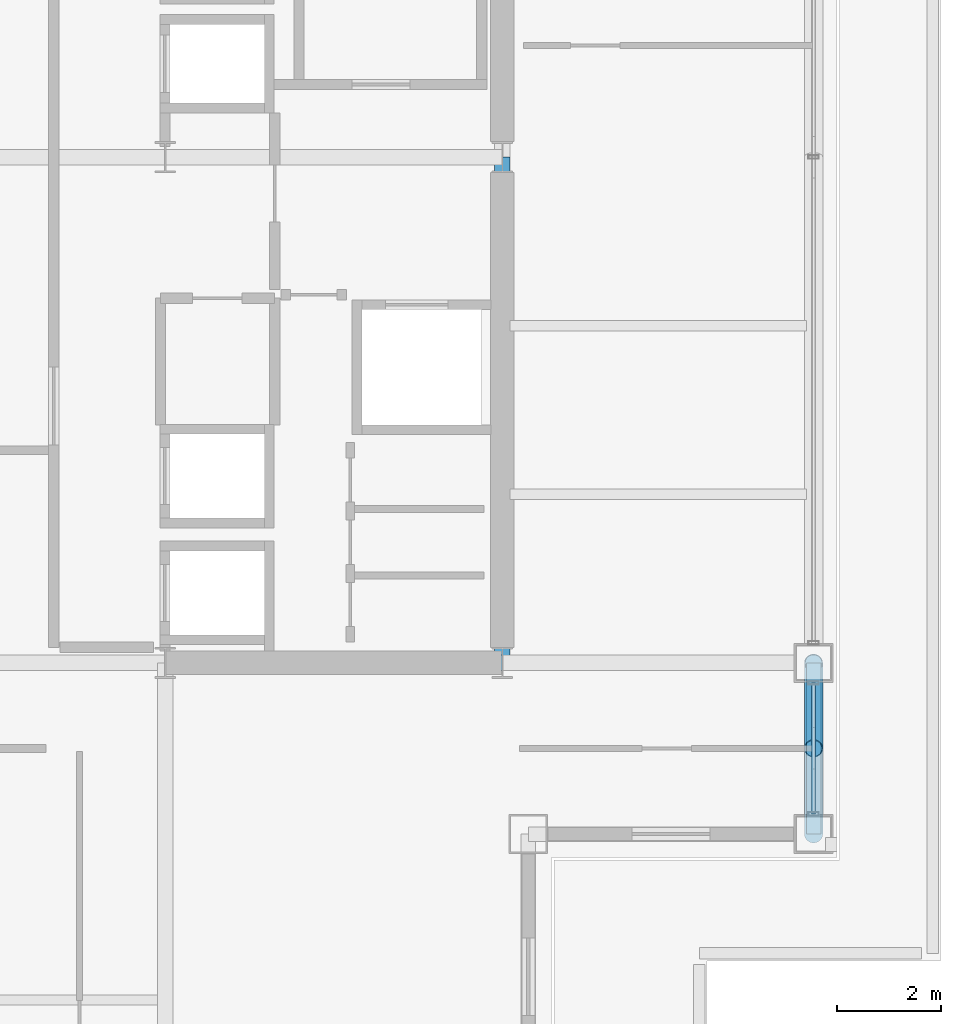
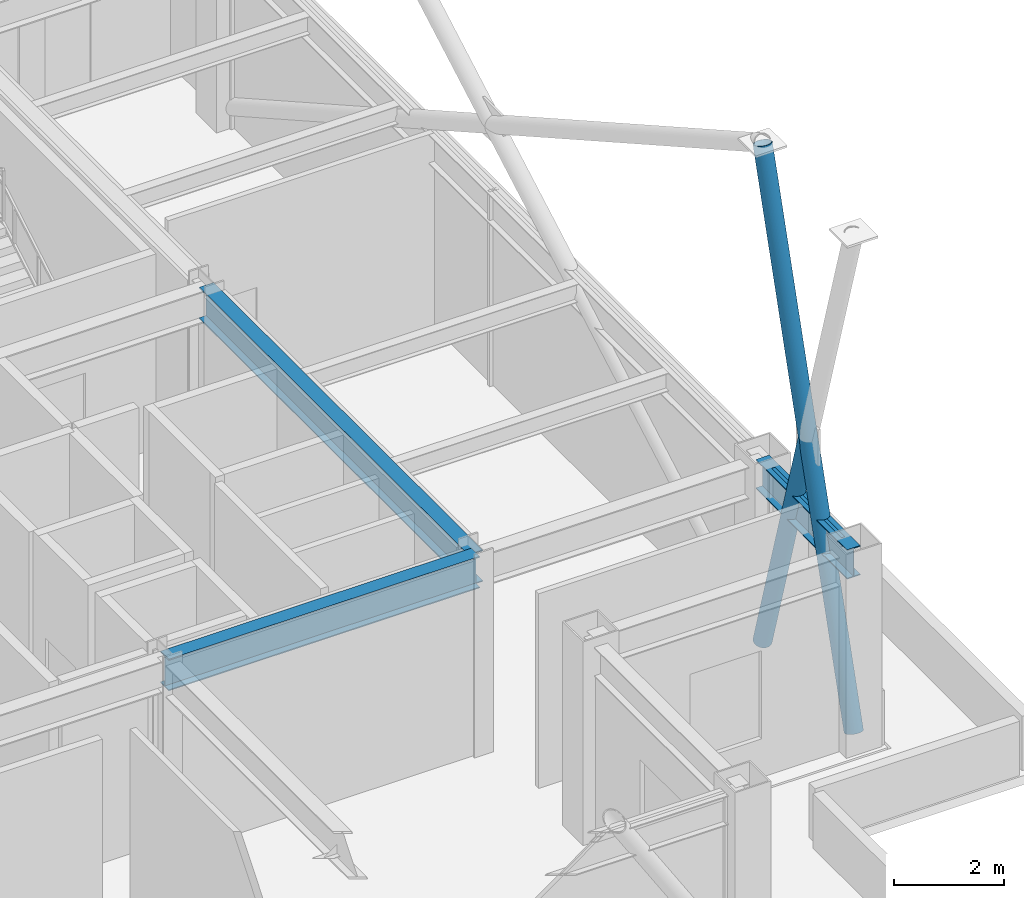
# One storey, part 11 of 24: 3 beams, 3 members, 1 element without a shape of its own.
"""IFC4 building model written with IfcOpenShell, lengths in metres."""

from ifc_helpers import new_model, si_unit, direction, frame, origin, origin_2d, place, context, subcontext, project, spatial, hollow_rectangle, hollow_circle, i_section, extrude, material, layer, layer_set, material_profile, profile_set, type_object, element, aggregate, save


model = new_model("IFC4")

# Units and contexts
model_context = context("Model", 3, precision=1e-05, world=origin(), true_north=direction((0.0, 1.0)))
body_context = subcontext(model_context, "Body", "Model", "MODEL_VIEW")
ifc_project = project(units=[si_unit("LENGTHUNIT", "METRE"), si_unit("AREAUNIT", "SQUARE_METRE"), si_unit("VOLUMEUNIT", "CUBIC_METRE"), si_unit("PLANEANGLEUNIT", "RADIAN"), si_unit("MASSUNIT", "GRAM", prefix="KILO")], contexts=[model_context])

# Site, building, storey
site_placement = place(None, origin())
site = spatial("IfcSite", under=ifc_project, at=site_placement, CompositionType="ELEMENT")
building_placement = place(site_placement, origin())
building = spatial("IfcBuilding", under=site, at=building_placement, Name="Brelmoor Portico Tower", CompositionType="ELEMENT")
storey_placement = place(building_placement, frame((0.0, 0.0, 150.60009765625)))
storey = spatial("IfcBuildingStorey", under=building, at=storey_placement, Name="L39", CompositionType="ELEMENT", Elevation=150.60009765625)

# Beams
ifc_material_1 = material(Name="Steel Q355B", Category="steel")
ifc_material_profile_1 = material_profile(ifc_material_1, i_section(OverallWidth=0.300048828125, OverallDepth=0.699951171875, WebThickness=0.012939453125, FlangeThickness=0.02392578125, at=origin_2d()), Name="HN 700x300x13x24")
ifc_profile_set_1 = profile_set([ifc_material_profile_1], Name="Steel Q355B")
beam_type_1 = type_object("IfcBeamType", Name="BM-PG-700", PredefinedType="BEAM", material=ifc_profile_set_1)
beam_1_placement = place(storey_placement, frame((14.550048828125, -9.75, 3.949951171875), z_axis=(0.0, 1.0, 0.0), x_axis=(-1.0, 0.0, 0.0)))
element("IfcBeam", 1, at=beam_1_placement, inside=storey, type_object=beam_type_1, Name="L39 Primary Floor Girder PG-08", PredefinedType="BEAM", context=body_context, shape_type="SweptSolid", body=[
    extrude(i_section(OverallWidth=0.300048828125, OverallDepth=0.699951171875, WebThickness=0.012939453125, FlangeThickness=0.02392578125, at=origin_2d()), origin(), (0.0, 0.0, 1.0), 9.75),
])
beam_2_placement = place(storey_placement, frame((8.050048828125, -9.75, 3.949951171875), z_axis=(1.0, 0.0, 0.0), x_axis=(0.0, 1.0, 0.0)))
element("IfcBeam", 2, at=beam_2_placement, inside=storey, type_object=beam_type_1, Name="L39 Primary Floor Girder PG-13", PredefinedType="BEAM", context=body_context, shape_type="SweptSolid", body=[
    extrude(i_section(OverallWidth=0.300048828125, OverallDepth=0.699951171875, WebThickness=0.012939453125, FlangeThickness=0.02392578125, at=origin_2d()), origin(), (0.0, 0.0, 1.0), 6.5),
])
ifc_material_profile_2 = material_profile(ifc_material_1, i_section(OverallWidth=0.280029296875, OverallDepth=0.64990234375, WebThickness=0.012939453125, FlangeThickness=0.02197265625, at=origin_2d()), Name="HN 650x280x13x22")
ifc_profile_set_2 = profile_set([ifc_material_profile_2], Name="Steel Q355B")
beam_type_2 = type_object("IfcBeamType", Name="BM-SP-650", PredefinedType="SPANDREL", material=ifc_profile_set_2)
beam_3_placement = place(storey_placement, frame((20.550048828125, -13.050048828125, 3.974853515625), z_axis=(0.0, 1.0, 0.0), x_axis=(-1.0, 0.0, 0.0)))
element("IfcBeam", 3, at=beam_3_placement, inside=storey, type_object=beam_type_2, Name="L39 Perimeter Spandrel Beam SP-18", PredefinedType="SPANDREL", context=body_context, shape_type="SweptSolid", body=[
    extrude(i_section(OverallWidth=0.280029296875, OverallDepth=0.64990234375, WebThickness=0.012939453125, FlangeThickness=0.02197265625, at=origin_2d()), origin(), (0.0, 0.0, 1.0), 3.300048828125),
])

# Members
ifc_material_profile_3 = material_profile(ifc_material_1, hollow_circle(Radius=0.177978515625, WallThickness=0.01611328125, at=origin_2d()), Name="CHS 356x16")
ifc_profile_set_3 = profile_set([ifc_material_profile_3], Name="Steel Q355B")
member_type_1 = type_object("IfcMemberType", Name="MB-BELT-DIAG2", PredefinedType="BRACE", material=ifc_profile_set_3)
member_1_placement = place(storey_placement, frame((20.550048828125, -13.050048828125, 0.25), z_axis=(0.0, 0.287351786215, 0.957825115018), x_axis=(-1.0, 0.0, 0.0)))
element("IfcMember", 4, at=member_1_placement, inside=storey, type_object=member_type_1, Name="L39 Continuous Mega-X Brace 088A", PredefinedType="BRACE", context=body_context, shape_type="SweptSolid", body=[
    extrude(hollow_circle(Radius=0.177978515625, WallThickness=0.01611328125, at=origin_2d()), origin(), (0.0, 0.0, 1.0), 11.484375),
])
member_2_placement = place(storey_placement, frame((20.550048828125, -9.75, 0.25), z_axis=(0.0, -0.287332282829, 0.957830965904), x_axis=(1.0, 0.0, 0.0)))
element("IfcMember", 5, at=member_2_placement, inside=storey, type_object=member_type_1, Name="L39 Split Mega-X Brace 088B1", PredefinedType="BRACE", context=body_context, shape_type="SweptSolid", body=[
    extrude(hollow_circle(Radius=0.177978515625, WallThickness=0.01611328125, at=origin_2d()), origin(), (0.0, 0.0, 1.0), 5.7421875),
])

# Curtain wall, member
ifc_material_2 = material(Name="Anodised Aluminium Alloy 6063-T6", Category="aluminium")
ifc_layer = layer(ifc_material_2, 0.179931640625)
ifc_layer_set = layer_set([ifc_layer], Name="Anodised Aluminium Alloy 6063-T6")
curtain_wall_type = type_object("IfcCurtainWallType", Name="CW-SKYLOBBY-XB", PredefinedType="NOTDEFINED", material=ifc_layer_set)
curtain_wall_placement = place(storey_placement, origin())
curtain_wall = element("IfcCurtainWall", 6, at=curtain_wall_placement, inside=storey, type_object=curtain_wall_type, Name="L39 Curtain Wall CW-L39-04-1", PredefinedType="NOTDEFINED")
ifc_material_profile_4 = material_profile(ifc_material_2, hollow_rectangle(XDim=0.070068359375, YDim=0.159912109375, WallThickness=0.00390625, at=origin_2d()), Name="ALU TRANSOM 70x160")
ifc_profile_set_4 = profile_set([ifc_material_profile_4], Name="Anodised Aluminium Alloy 6063-T6")
member_type_2 = type_object("IfcMemberType", Name="MB-CW-TRAN-160", PredefinedType="USERDEFINED", material=ifc_profile_set_4)
member_3_placement = place(storey_placement, frame((20.550048828125, -12.6650390625, 4.219970703125), z_axis=(0.0, 1.0, 0.0), x_axis=(-1.0, 0.0, 0.0)))
member_3 = element("IfcMember", 7, at=member_3_placement, type_object=member_type_2, Name="CW-L39-04-1 Transom 1-00", ObjectType="TRANSOM", PredefinedType="USERDEFINED", context=body_context, shape_type="SweptSolid", body=[
    extrude(hollow_rectangle(XDim=0.070068359375, YDim=0.159912109375, WallThickness=0.00390625, at=origin_2d()), origin(), (0.0, 0.0, 1.0), 2.530029296875),
])
aggregate(curtain_wall, [member_3])

save(model, "model.ifc")
